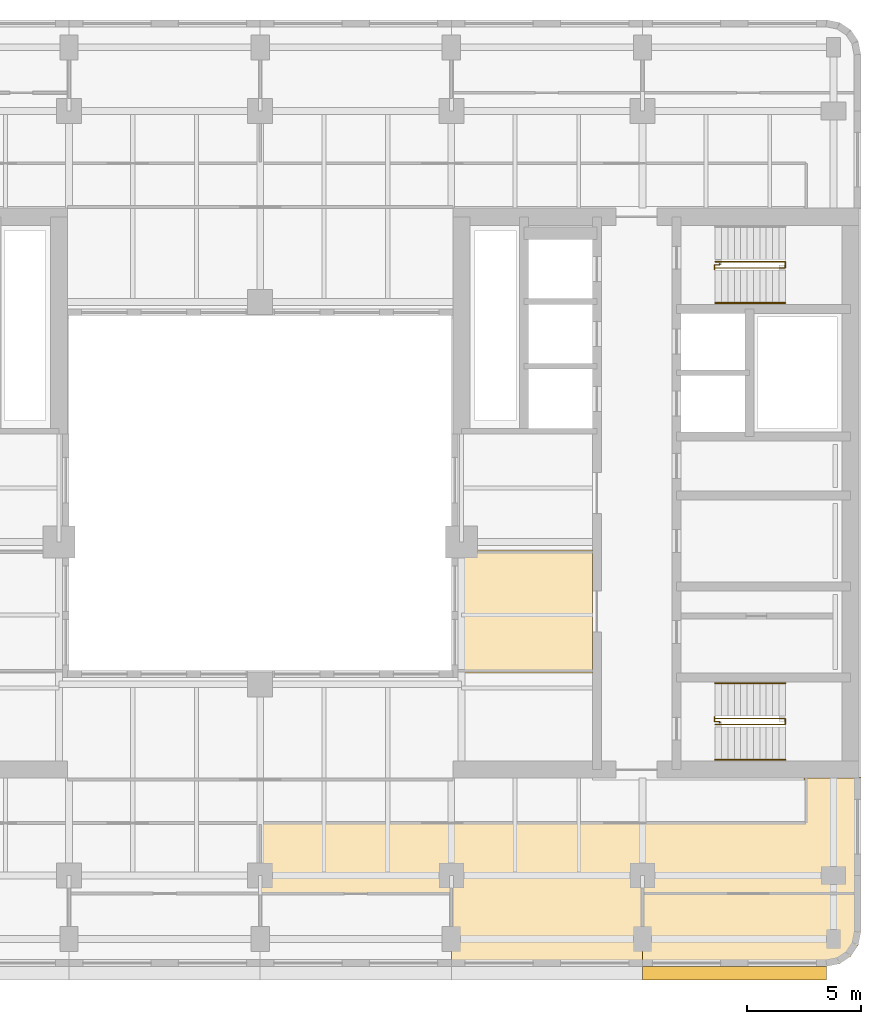
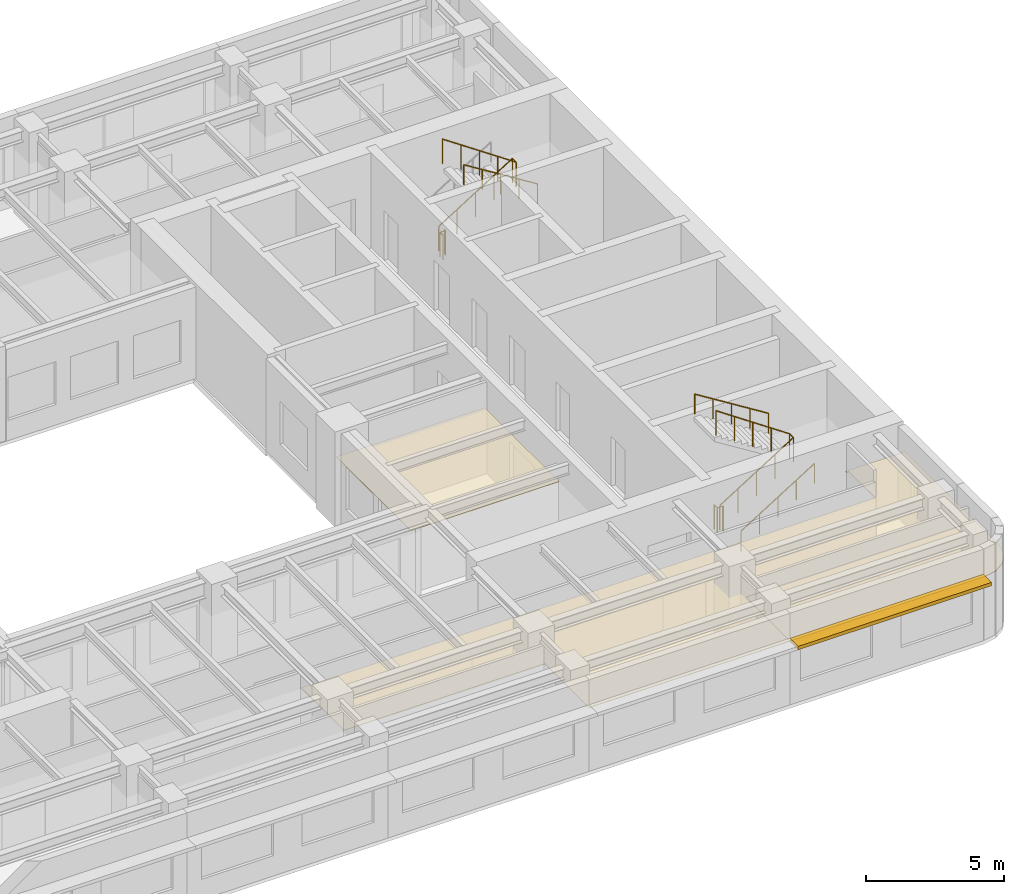
# One storey, part 10 of 11: 7 railings, 3 coverings, 1 shading device.
"""IFC4 building model written with IfcOpenShell, lengths in metres."""

import ifcopenshell
import ifcopenshell.guid

model = None  # the IFC model being written
_history = None  # IfcOwnerHistory: only IFC2X3 demands one
_inside = {}  # id of a spatial element -> (the spatial element, [elements in it])
_under = {}  # id of a project, library or spatial element -> (it, [spatial elements below it])
_declared = {}  # id of a project -> (the project, [libraries it declares])
_typed = {}  # id of a type object -> (the type object, [elements of that type])
_made_of = {}  # id of a material, layer set ... -> (it, [elements and type objects made of it])


def new_model(schema):
    """Start an empty IFC model of exactly this schema.

    Asked for "IFC4X3", IfcOpenShell would pick the latest addendum, in which some entities
    have other attributes; the version numbers below select the first issue.
    IFC2X3 requires an IfcOwnerHistory on every rooted entity: one is made here for all.
    """
    global model, _history
    if schema == "IFC4X3":
        model = ifcopenshell.file(schema_version=(4, 3, 0, 0))
    else:
        model = ifcopenshell.file(schema=schema)
    _inside.clear()
    _under.clear()
    _declared.clear()
    _typed.clear()
    _made_of.clear()
    _history = None
    if model.schema == "IFC2X3":
        org = make("IfcOrganization", Name="unknown")
        user = make(
            "IfcPersonAndOrganization",
            ThePerson=make("IfcPerson", FamilyName="unknown"),
            TheOrganization=org,
        )
        app = make(
            "IfcApplication",
            ApplicationDeveloper=org,
            Version="unknown",
            ApplicationFullName="unknown",
            ApplicationIdentifier="unknown",
        )
        _history = make(
            "IfcOwnerHistory",
            OwningUser=user,
            OwningApplication=app,
            ChangeAction="ADDED",
            CreationDate=0,
        )
    return model


def make(cls, **values):
    """One entity of the class cls with the attributes given. An attribute that is None is left unset."""
    return model.create_entity(
        cls, **{name: value for name, value in values.items() if value is not None}
    )


def rooted(cls, **values):
    """An entity with a GlobalId (a new one), such as an element, a storey or a relation."""
    return make(cls, GlobalId=ifcopenshell.guid.new(), OwnerHistory=_history, **values)


def si_unit(unit_type, name, prefix=None):
    """IfcSIUnit, for example si_unit("LENGTHUNIT", "METRE", prefix="MILLI")."""
    return make("IfcSIUnit", UnitType=unit_type, Prefix=prefix, Name=name)


def assignment(units):
    """IfcUnitAssignment: the units of a project."""
    return None if units is None else make("IfcUnitAssignment", Units=units)


def point(xyz):
    """IfcCartesianPoint."""
    return None if xyz is None else make("IfcCartesianPoint", Coordinates=xyz)


def direction(xyz):
    """IfcDirection."""
    return None if xyz is None else make("IfcDirection", DirectionRatios=xyz)


def frame(location, z_axis=None, x_axis=None):
    """IfcAxis2Placement3D, a coordinate frame: its origin and axes. An axis left out is left unset."""
    return make(
        "IfcAxis2Placement3D",
        Location=point(location),
        Axis=direction(z_axis),
        RefDirection=direction(x_axis),
    )


def frame_2d(location, x_axis=None):
    """IfcAxis2Placement2D, a coordinate frame in the plane: its origin and x axis."""
    return make(
        "IfcAxis2Placement2D", Location=point(location), RefDirection=direction(x_axis)
    )


def origin():
    """The frame at (0, 0, 0) with its axes left unset."""
    return frame((0.0, 0.0, 0.0))


def origin_2d():
    """The frame at (0, 0) in the plane with its x axis left unset."""
    return frame_2d((0.0, 0.0))


def place(relative_to, where):
    """IfcLocalPlacement: puts the frame where relative to a parent placement (None: the world)."""
    return make(
        "IfcLocalPlacement", PlacementRelTo=relative_to, RelativePlacement=where
    )


def context(
    kind, dimensions, precision=None, world=None, true_north=None, identifier=None
):
    """IfcGeometricRepresentationContext, for example the 3D "Model" context."""
    return make(
        "IfcGeometricRepresentationContext",
        ContextIdentifier=identifier,
        ContextType=kind,
        CoordinateSpaceDimension=dimensions,
        Precision=precision,
        WorldCoordinateSystem=world,
        TrueNorth=true_north,
    )


def subcontext(parent, identifier, kind, view, scale=None):
    """IfcGeometricRepresentationSubContext, for example "Body" below "Model"."""
    return make(
        "IfcGeometricRepresentationSubContext",
        ContextIdentifier=identifier,
        ContextType=kind,
        ParentContext=parent,
        TargetScale=scale,
        TargetView=view,
    )


def project(units=None, contexts=None):
    """IfcProject with its units and contexts."""
    return rooted(
        "IfcProject",
        Name="project",
        RepresentationContexts=contexts,
        UnitsInContext=assignment(units),
    )


def spatial(cls, under=None, at=None, **own):
    """A site, building, storey or space (cls), placed at a placement, below another one or the project."""
    s = rooted(cls, ObjectPlacement=at, **own)
    if under is not None:
        _under.setdefault(under.id(), (under, []))[1].append(s)
    return s


def polyline(points):
    """IfcPolyline through the points."""
    return make("IfcPolyline", Points=[point(p) for p in points])


def profile(cls, at=None, kind="AREA", **sizes):
    """A parametric profile (cls). Its sizes go by their IFC names, for example OverallWidth=200.0."""
    return make(cls, ProfileType=kind, Position=at, **sizes)


def rectangle(**sizes):
    """IfcRectangleProfileDef."""
    return profile("IfcRectangleProfileDef", **sizes)


def circle(**sizes):
    """IfcCircleProfileDef."""
    return profile("IfcCircleProfileDef", **sizes)


def outline(outer, holes=None, kind="AREA"):
    """IfcArbitraryClosedProfileDef: a profile drawn as a closed curve; with holes, ...WithVoids."""
    if holes is None:
        return make("IfcArbitraryClosedProfileDef", ProfileType=kind, OuterCurve=outer)
    return make(
        "IfcArbitraryProfileDefWithVoids",
        ProfileType=kind,
        OuterCurve=outer,
        InnerCurves=holes,
    )


def extrude(swept, where, along, depth):
    """IfcExtrudedAreaSolid: the profile swept, set in the frame where, extruded along a direction by depth."""
    return make(
        "IfcExtrudedAreaSolid",
        SweptArea=swept,
        Position=where,
        ExtrudedDirection=direction(along),
        Depth=depth,
    )


def shape(context_of_items, identifier, shape_type, items):
    """IfcShapeRepresentation: the items that make up one representation, for example the "Body"."""
    return make(
        "IfcShapeRepresentation",
        ContextOfItems=context_of_items,
        RepresentationIdentifier=identifier,
        RepresentationType=shape_type,
        Items=items,
    )


def material(Name=None, Category=None):
    """IfcMaterial."""
    return make("IfcMaterial", Name=Name, Category=Category)


def layer(
    of_material, thickness, ventilated=None, Name=None, Category=None, Priority=None
):
    """IfcMaterialLayer: one layer of a wall or slab, of a material (None: an air gap)."""
    return make(
        "IfcMaterialLayer",
        Material=of_material,
        LayerThickness=thickness,
        IsVentilated=ventilated,
        Name=Name,
        Category=Category,
        Priority=Priority,
    )


def layer_set(layers, Name=None):
    """IfcMaterialLayerSet."""
    return make("IfcMaterialLayerSet", MaterialLayers=layers, LayerSetName=Name)


def made_of(thing, what):
    """Note that an element or type object is made of a material, layer set ...; save() writes the relation."""
    if what is not None:
        _made_of.setdefault(what.id(), (what, []))[1].append(thing)
    return thing


def type_object(cls, material=None, **own):
    """A type object (cls), such as IfcWallType, which elements share."""
    return made_of(rooted(cls, **own), material)


def element(
    cls,
    number,
    at=None,
    inside=None,
    cuts=None,
    type_object=None,
    material=None,
    context=None,
    identifier="Body",
    shape_type=None,
    held_by="IfcProductDefinitionShape",
    body=None,
    shapes=None,
    **own,
):
    """One element of the class cls, such as IfcWall. Its Tag is "e" and its number.

    at: its placement. inside: the storey or other place that contains it. cuts: it is an
    opening in that element (IfcRelVoidsElement). A single representation is given by context,
    identifier, shape_type and body (its items); several are given by shapes. held_by: the class
    of the entity that holds the representations. save() writes the other relations.
    """
    e = rooted(cls, Tag="e%d" % number, ObjectPlacement=at, **own)
    if body is not None:
        shapes = [shape(context, identifier, shape_type, body)]
    if shapes is not None:
        e.Representation = make(held_by, Representations=shapes)
    if inside is not None:
        _inside.setdefault(inside.id(), (inside, []))[1].append(e)
    if cuts is not None:
        rooted(
            "IfcRelVoidsElement", RelatingBuildingElement=cuts, RelatedOpeningElement=e
        )
    if type_object is not None:
        _typed.setdefault(type_object.id(), (type_object, []))[1].append(e)
    return made_of(e, material)


def aggregate(whole, parts):
    """IfcRelAggregates: a whole, such as a stair, and the parts it consists of."""
    return rooted("IfcRelAggregates", RelatingObject=whole, RelatedObjects=parts)


def save(model, path):
    """Write the relations noted so far, then the file.

    IfcRelAggregates (storeys below a building ...), IfcRelContainedInSpatialStructure (elements
    in a storey), IfcRelDefinesByType, IfcRelAssociatesMaterial and IfcRelDeclares: one each for
    every whole, place, type object, material and project.
    """
    for whole, parts in _under.values():
        aggregate(whole, parts)
    for where, things in _inside.values():
        rooted(
            "IfcRelContainedInSpatialStructure",
            RelatedElements=things,
            RelatingStructure=where,
        )
    for kind, things in _typed.values():
        rooted("IfcRelDefinesByType", RelatedObjects=things, RelatingType=kind)
    for what, things in _made_of.values():
        rooted("IfcRelAssociatesMaterial", RelatedObjects=things, RelatingMaterial=what)
    for by, libraries in _declared.values():
        rooted("IfcRelDeclares", RelatingContext=by, RelatedDefinitions=libraries)
    model.write(path)


model = new_model("IFC4")

# Units and contexts
model_context = context("Model", 3, precision=1e-05, world=origin(), true_north=direction((0.0, 1.0)))
body_context = subcontext(model_context, "Body", "Model", "MODEL_VIEW")
ifc_project = project(units=[si_unit("LENGTHUNIT", "METRE"), si_unit("AREAUNIT", "SQUARE_METRE"), si_unit("VOLUMEUNIT", "CUBIC_METRE"), si_unit("PLANEANGLEUNIT", "RADIAN"), si_unit("MASSUNIT", "GRAM", prefix="KILO")], contexts=[model_context])

# Site, building, storey
site_placement = place(None, origin())
site = spatial("IfcSite", under=ifc_project, at=site_placement, CompositionType="ELEMENT")
building_placement = place(site_placement, origin())
building = spatial("IfcBuilding", under=site, at=building_placement, Name="Claustro Exchange Tower", CompositionType="ELEMENT")
storey_placement = place(building_placement, frame((0.0, 0.0, 198.60009765625)))
storey = spatial("IfcBuildingStorey", under=building, at=storey_placement, Name="L45", CompositionType="ELEMENT", Elevation=198.60009765625)

# Coverings
ifc_material_1 = material(Name="Gypsum board ceiling", Category="gypsum board")
ifc_layer_1 = layer(ifc_material_1, 0.02490234375)
ifc_layer_set_1 = layer_set([ifc_layer_1], Name="Gypsum board ceiling")
covering_type = type_object("IfcCoveringType", Name="CL2 plasterboard ceiling", PredefinedType="CEILING", material=ifc_layer_set_1)
covering_1_placement = place(storey_placement, frame((0.0, 0.0, 2.7998046875)))
element("IfcCovering", 1, at=covering_1_placement, inside=storey, type_object=covering_type, Name="Ceiling CL2 L45-04", PredefinedType="CEILING", context=body_context, shape_type="SweptSolid", body=[
    extrude(outline(polyline([(51.60009765625, 5.89990234375), (51.60009765625, 7.60009765625), (42.0, 7.60009765625), (42.0, 4.39990234375), (50.10009765625, 4.39990234375), (50.674072265625, 4.51416015625), (51.16064453125, 4.83935546875), (51.48583984375, 5.325927734375), (51.60009765625, 5.89990234375)])), origin(), (0.0, 0.0, 1.0), 0.025146484375),
])
covering_2_placement = place(storey_placement, frame((0.0, 0.0, 2.7998046875)))
element("IfcCovering", 2, at=covering_2_placement, inside=storey, type_object=covering_type, Name="Ceiling CL2 L45-06", PredefinedType="CEILING", context=body_context, shape_type="SweptSolid", body=[
    extrude(outline(polyline([(51.60009765625, 7.60009765625), (51.60009765625, 12.695068359375), (51.52490234375, 12.695068359375), (51.52490234375, 12.675048828125), (49.10498046875, 12.675048828125), (49.10498046875, 12.60009765625), (49.199951171875, 12.60009765625), (49.199951171875, 10.699951171875), (25.199951171875, 10.699951171875), (25.199951171875, 7.60009765625), (33.60009765625, 7.60009765625), (33.60009765625, 4.39990234375), (42.0, 4.39990234375), (42.0, 7.60009765625), (51.60009765625, 7.60009765625)])), origin(), (0.0, 0.0, 1.0), 0.025146484375),
])
covering_3_placement = place(storey_placement, frame((0.0, 0.0, 2.7998046875)))
element("IfcCovering", 3, at=covering_3_placement, inside=storey, type_object=covering_type, Name="Ceiling CL2 L45-11", PredefinedType="CEILING", context=body_context, shape_type="SweptSolid", body=[
    extrude(outline(polyline([(33.60009765625, 22.695068359375), (33.60009765625, 17.304931640625), (39.800048828125, 17.304931640625), (39.800048828125, 22.695068359375), (33.60009765625, 22.695068359375)])), origin(), (0.0, 0.0, 1.0), 0.025146484375),
])

# Railings
ifc_material_2 = material(Name="Steel balustrade, painted", Category="steel")
railing_type_1 = type_object("IfcRailingType", Name="GR2 1100 steel stair guard", PredefinedType="GUARDRAIL", material=ifc_material_2)
railing_1_placement = place(storey_placement, frame((45.199951171875, 15.02490234375, 0.1748046875)))
element("IfcRailing", 4, at=railing_1_placement, inside=storey, type_object=railing_type_1, Name="Stair well guard GR2 stair STEA L45", PredefinedType="GUARDRAIL", context=body_context, shape_type="SweptSolid", body=[
    extrude(circle(Radius=0.02392578125, at=origin_2d()), frame((0.0, 0.0, 1.076171875), z_axis=(0.847998304005, 0.0, 0.529998940003), x_axis=(0.0, 1.0, 0.0)), (0.0, 0.0, 1.0), 3.632080078125),
    extrude(circle(Radius=0.02392578125, at=origin_2d()), frame((3.080078125, 0.0, 3.0009765625), z_axis=(0.0, 1.0, 0.0), x_axis=(-1.0, 0.0, 0.0)), (0.0, 0.0, 1.0), 0.275146484375),
    extrude(circle(Radius=0.02392578125, at=origin_2d()), frame((3.080078125, 0.275146484375, 3.0009765625), z_axis=(-0.826221800596, 0.0, 0.563344953133), x_axis=(0.0, -1.0, 0.0)), (0.0, 0.0, 1.0), 3.72802734375),
    extrude(circle(Radius=0.02099609375, at=origin_2d()), origin(), (0.0, 0.0, 1.0), 1.052001953125),
    extrude(circle(Radius=0.02099609375, at=origin_2d()), frame((0.77001953125, 0.0, 0.481201171875)), (0.0, 0.0, 1.0), 1.052001953125),
    extrude(circle(Radius=0.02099609375, at=origin_2d()), frame((1.5400390625, 0.0, 0.96240234375)), (0.0, 0.0, 1.0), 1.052001953125),
    extrude(circle(Radius=0.02099609375, at=origin_2d()), frame((2.31005859375, 0.0, 1.44384765625)), (0.0, 0.0, 1.0), 1.052001953125),
    extrude(circle(Radius=0.02099609375, at=origin_2d()), frame((3.080078125, 0.0, 1.925048828125)), (0.0, 0.0, 1.0), 1.052001953125),
    extrude(circle(Radius=0.02099609375, at=origin_2d()), frame((3.080078125, 0.275146484375, 1.925048828125)), (0.0, 0.0, 1.0), 1.052001953125),
    extrude(circle(Radius=0.02099609375, at=origin_2d()), frame((2.31005859375, 0.275146484375, 2.4501953125)), (0.0, 0.0, 1.0), 1.052001953125),
    extrude(circle(Radius=0.02099609375, at=origin_2d()), frame((1.5400390625, 0.275146484375, 2.97509765625)), (0.0, 0.0, 1.0), 1.052001953125),
    extrude(circle(Radius=0.02099609375, at=origin_2d()), frame((0.77001953125, 0.275146484375, 3.5)), (0.0, 0.0, 1.0), 1.052001953125),
    extrude(circle(Radius=0.02099609375, at=origin_2d()), frame((0.0, 0.275146484375, 4.025146484375)), (0.0, 0.0, 1.0), 1.052001953125),
])
railing_2_placement = place(storey_placement, frame((45.39990234375, 15.094970703125, 0.0)))
element("IfcRailing", 5, at=railing_2_placement, inside=storey, type_object=railing_type_1, Name="Stair guard GR2 STEA L45", PredefinedType="GUARDRAIL", context=body_context, shape_type="SweptSolid", body=[
    extrude(circle(Radius=0.02392578125, at=origin_2d()), frame((0.0, 0.0, 1.076171875), z_axis=(0.0, 1.0, 0.0), x_axis=(-1.0, 0.0, 0.0)), (0.0, 0.0, 1.0), 0.067626953125),
    extrude(circle(Radius=0.02392578125, at=origin_2d()), frame((0.0, 0.067626953125, 1.076171875), z_axis=(-1.0, 0.0, 0.0), x_axis=(0.0, -1.0, 0.0)), (0.0, 0.0, 1.0), 0.224853515625),
    extrude(circle(Radius=0.02392578125, at=origin_2d()), frame((-0.224853515625, 0.067626953125, 1.076171875), z_axis=(0.0, 1.0, 0.0), x_axis=(-1.0, 0.0, 0.0)), (0.0, 0.0, 1.0), 0.21728515625),
    extrude(circle(Radius=0.02099609375, at=origin_2d()), origin(), (0.0, 0.0, 1.0), 1.052001953125),
    extrude(circle(Radius=0.02099609375, at=origin_2d()), frame((0.0, 0.067626953125, 0.0)), (0.0, 0.0, 1.0), 1.052001953125),
    extrude(circle(Radius=0.02099609375, at=origin_2d()), frame((-0.224853515625, 0.067626953125, 0.0)), (0.0, 0.0, 1.0), 1.052001953125),
    extrude(circle(Radius=0.02099609375, at=origin_2d()), frame((-0.224853515625, 0.284912109375, 0.0)), (0.0, 0.0, 1.0), 1.052001953125),
])
railing_3_placement = place(storey_placement, frame((45.199951171875, 35.375, 0.1748046875)))
element("IfcRailing", 6, at=railing_3_placement, inside=storey, type_object=railing_type_1, Name="Stair well guard GR2 stair STEB L45", PredefinedType="GUARDRAIL", context=body_context, shape_type="SweptSolid", body=[
    extrude(circle(Radius=0.02392578125, at=origin_2d()), frame((0.0, 0.0, 1.076171875), z_axis=(0.847998304005, 0.0, 0.529998940003), x_axis=(0.0, 1.0, 0.0)), (0.0, 0.0, 1.0), 3.632080078125),
    extrude(circle(Radius=0.02392578125, at=origin_2d()), frame((3.080078125, 0.0, 3.0009765625), z_axis=(0.0, -1.0, 0.0), x_axis=(1.0, 0.0, 0.0)), (0.0, 0.0, 1.0), 0.27490234375),
    extrude(circle(Radius=0.02392578125, at=origin_2d()), frame((3.080078125, -0.27490234375, 3.0009765625), z_axis=(-0.826221800596, 0.0, 0.563344953133), x_axis=(0.0, -1.0, 0.0)), (0.0, 0.0, 1.0), 3.72802734375),
    extrude(circle(Radius=0.02099609375, at=origin_2d()), origin(), (0.0, 0.0, 1.0), 1.052001953125),
    extrude(circle(Radius=0.02099609375, at=origin_2d()), frame((0.77001953125, 0.0, 0.481201171875)), (0.0, 0.0, 1.0), 1.052001953125),
    extrude(circle(Radius=0.02099609375, at=origin_2d()), frame((1.5400390625, 0.0, 0.96240234375)), (0.0, 0.0, 1.0), 1.052001953125),
    extrude(circle(Radius=0.02099609375, at=origin_2d()), frame((2.31005859375, 0.0, 1.44384765625)), (0.0, 0.0, 1.0), 1.052001953125),
    extrude(circle(Radius=0.02099609375, at=origin_2d()), frame((3.080078125, 0.0, 1.925048828125)), (0.0, 0.0, 1.0), 1.052001953125),
    extrude(circle(Radius=0.02099609375, at=origin_2d()), frame((3.080078125, -0.27490234375, 1.925048828125)), (0.0, 0.0, 1.0), 1.052001953125),
    extrude(circle(Radius=0.02099609375, at=origin_2d()), frame((2.31005859375, -0.27490234375, 2.4501953125)), (0.0, 0.0, 1.0), 1.052001953125),
    extrude(circle(Radius=0.02099609375, at=origin_2d()), frame((1.5400390625, -0.27490234375, 2.97509765625)), (0.0, 0.0, 1.0), 1.052001953125),
    extrude(circle(Radius=0.02099609375, at=origin_2d()), frame((0.77001953125, -0.27490234375, 3.5)), (0.0, 0.0, 1.0), 1.052001953125),
    extrude(circle(Radius=0.02099609375, at=origin_2d()), frame((0.0, -0.27490234375, 4.025146484375)), (0.0, 0.0, 1.0), 1.052001953125),
])
railing_4_placement = place(storey_placement, frame((45.39990234375, 35.304931640625, 0.0)))
element("IfcRailing", 7, at=railing_4_placement, inside=storey, type_object=railing_type_1, Name="Stair guard GR2 STEB L45", PredefinedType="GUARDRAIL", context=body_context, shape_type="SweptSolid", body=[
    extrude(circle(Radius=0.02392578125, at=origin_2d()), frame((0.0, 0.0, 1.076171875), z_axis=(0.0, -1.0, 0.0), x_axis=(1.0, 0.0, 0.0)), (0.0, 0.0, 1.0), 0.0673828125),
    extrude(circle(Radius=0.02392578125, at=origin_2d()), frame((0.0, -0.0673828125, 1.076171875), z_axis=(-1.0, 0.0, 0.0), x_axis=(0.0, -1.0, 0.0)), (0.0, 0.0, 1.0), 0.224853515625),
    extrude(circle(Radius=0.02392578125, at=origin_2d()), frame((-0.224853515625, -0.0673828125, 1.076171875), z_axis=(0.0, -1.0, 0.0), x_axis=(1.0, 0.0, 0.0)), (0.0, 0.0, 1.0), 0.217529296875),
    extrude(circle(Radius=0.02099609375, at=origin_2d()), origin(), (0.0, 0.0, 1.0), 1.052001953125),
    extrude(circle(Radius=0.02099609375, at=origin_2d()), frame((0.0, -0.0673828125, 0.0)), (0.0, 0.0, 1.0), 1.052001953125),
    extrude(circle(Radius=0.02099609375, at=origin_2d()), frame((-0.224853515625, -0.0673828125, 0.0)), (0.0, 0.0, 1.0), 1.052001953125),
    extrude(circle(Radius=0.02099609375, at=origin_2d()), frame((-0.224853515625, -0.284912109375, 0.0)), (0.0, 0.0, 1.0), 1.052001953125),
])
ifc_material_3 = material(Name="Stainless steel tube", Category="steel")
railing_type_2 = type_object("IfcRailingType", Name="HR1 900 stair handrail", PredefinedType="HANDRAIL", material=ifc_material_3)
railing_5_placement = place(storey_placement, frame((45.199951171875, 13.485107421875, 0.1748046875)))
element("IfcRailing", 8, at=railing_5_placement, inside=storey, type_object=railing_type_2, Name="Handrail HR1 stair STEA L45", PredefinedType="HANDRAIL", context=body_context, shape_type="SweptSolid", body=[
    extrude(circle(Radius=0.02392578125, at=origin_2d()), frame((0.0, 0.0, 0.8759765625), z_axis=(0.847998304005, 0.0, 0.529998940003), x_axis=(0.0, 1.0, 0.0)), (0.0, 0.0, 1.0), 3.632080078125),
    extrude(circle(Radius=0.02099609375, at=origin_2d()), origin(), (0.0, 0.0, 1.0), 0.851806640625),
    extrude(circle(Radius=0.02099609375, at=origin_2d()), frame((0.77001953125, 0.0, 0.481201171875)), (0.0, 0.0, 1.0), 0.851806640625),
    extrude(circle(Radius=0.02099609375, at=origin_2d()), frame((1.5400390625, 0.0, 0.96240234375)), (0.0, 0.0, 1.0), 0.851806640625),
    extrude(circle(Radius=0.02099609375, at=origin_2d()), frame((2.31005859375, 0.0, 1.44384765625)), (0.0, 0.0, 1.0), 0.851806640625),
    extrude(circle(Radius=0.02099609375, at=origin_2d()), frame((3.080078125, 0.0, 1.925048828125)), (0.0, 0.0, 1.0), 0.851806640625),
])
for number, where, name in (
    (9, (48.280029296875, 16.840087890625, 2.27490234375), "Handrail HR1 stair STEA L45"),
    (10, (48.280029296875, 33.56005859375, 2.27490234375), "Handrail HR1 stair STEB L45"),
):
    element("IfcRailing", number, at=place(storey_placement, frame(where)), inside=storey, type_object=railing_type_2, Name=name, PredefinedType="HANDRAIL", context=body_context, shape_type="SweptSolid", body=[
        extrude(circle(Radius=0.02392578125, at=origin_2d()), frame((0.0, 0.0, 0.8759765625), z_axis=(-0.847998304005, 0.0, 0.529998940003), x_axis=(0.0, -1.0, 0.0)), (0.0, 0.0, 1.0), 3.632080078125),
        extrude(circle(Radius=0.02099609375, at=origin_2d()), origin(), (0.0, 0.0, 1.0), 0.851806640625),
        extrude(circle(Radius=0.02099609375, at=origin_2d()), frame((-0.77001953125, 0.0, 0.481201171875)), (0.0, 0.0, 1.0), 0.851806640625),
        extrude(circle(Radius=0.02099609375, at=origin_2d()), frame((-1.5400390625, 0.0, 0.96240234375)), (0.0, 0.0, 1.0), 0.851806640625),
        extrude(circle(Radius=0.02099609375, at=origin_2d()), frame((-2.31005859375, 0.0, 1.44384765625)), (0.0, 0.0, 1.0), 0.851806640625),
        extrude(circle(Radius=0.02099609375, at=origin_2d()), frame((-3.080078125, 0.0, 1.925048828125)), (0.0, 0.0, 1.0), 0.851806640625),
    ])

# Shading device
ifc_material_4 = material(Name="Concrete HA-40 (C40/50), precast, white cement, acid-etched", Category="concrete")
ifc_layer_2 = layer(ifc_material_4, 0.14990234375)
ifc_layer_set_2 = layer_set([ifc_layer_2], Name="Concrete HA-40 (C40/50), precast, white cement, acid-etched")
shading_device_type = type_object("IfcShadingDeviceType", Name="SS1 600 precast concrete SUNSHADE", PredefinedType="SHUTTER", material=ifc_layer_set_2)
shading_device_placement = place(storey_placement, frame((46.04248046875, 4.10009765625, 2.800048828125), z_axis=(0.0, 0.0, 1.0), x_axis=(-1.0, 0.0, 0.0)))
element("IfcShadingDevice", 11, at=shading_device_placement, inside=storey, type_object=shading_device_type, Name="Precast SUNSHADE SS1 L45", PredefinedType="SHUTTER", context=body_context, shape_type="SweptSolid", body=[
    extrude(rectangle(XDim=8.085205078125, YDim=0.60009765625, at=origin_2d()), origin(), (0.0, 0.0, 1.0), 0.14990234375),
])

save(model, "model.ifc")
